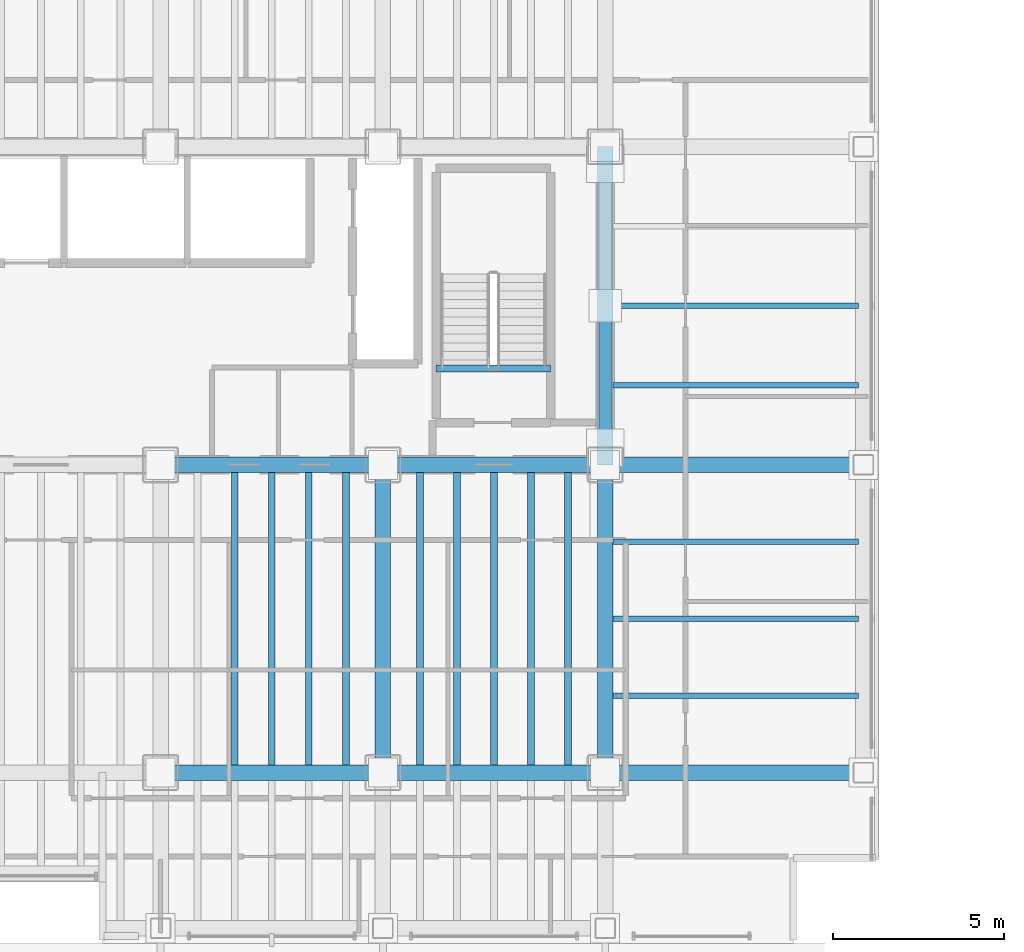
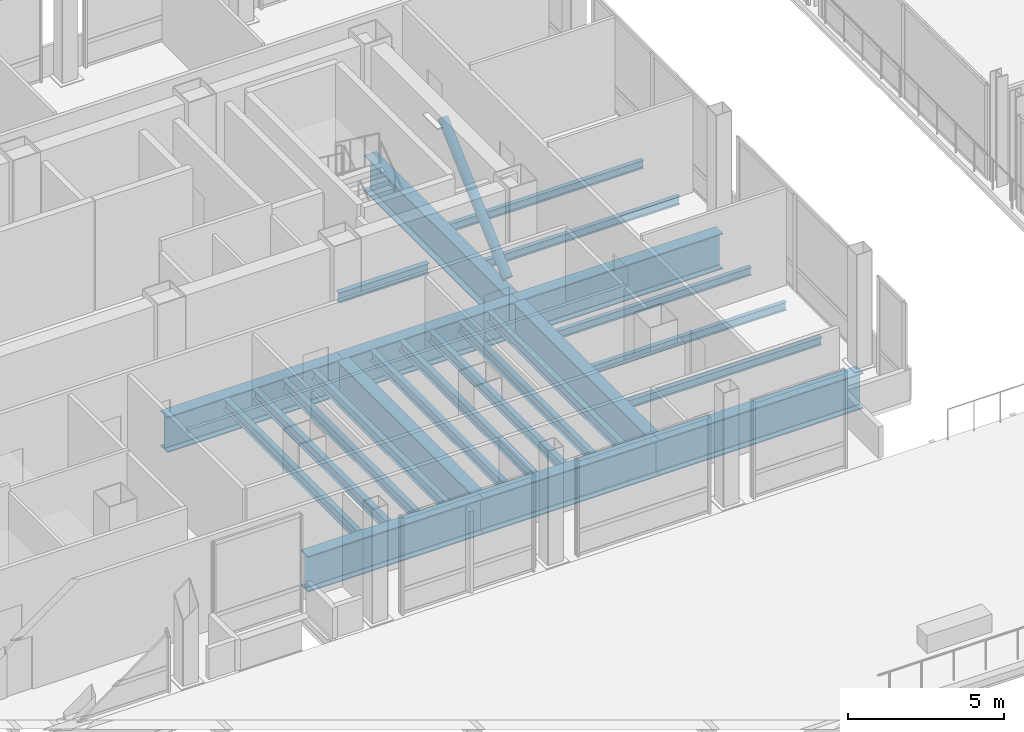
# One storey, part 14 of 34: 24 beams, 1 member.
"""IFC4 building model written with IfcOpenShell, lengths in metres."""

from ifc_helpers import new_model, si_unit, direction, frame, origin, origin_2d, place, context, subcontext, project, spatial, hollow_circle, i_section, extrude, material, material_profile, profile_set, type_object, element, save


model = new_model("IFC4")

# Units and contexts
model_context = context("Model", 3, precision=1e-05, world=origin(), true_north=direction((0.0, 1.0)))
body_context = subcontext(model_context, "Body", "Model", "MODEL_VIEW")
ifc_project = project(units=[si_unit("LENGTHUNIT", "METRE"), si_unit("AREAUNIT", "SQUARE_METRE"), si_unit("VOLUMEUNIT", "CUBIC_METRE"), si_unit("PLANEANGLEUNIT", "RADIAN"), si_unit("MASSUNIT", "GRAM", prefix="KILO")], contexts=[model_context])

# Site, building, storey
site_placement = place(None, origin())
site = spatial("IfcSite", under=ifc_project, at=site_placement, CompositionType="ELEMENT")
building_placement = place(site_placement, origin())
building = spatial("IfcBuilding", under=site, at=building_placement, Name="Noeulbin Bourse Tower", CompositionType="ELEMENT")
storey_placement = place(building_placement, frame((0.0, 0.0, 22.0)))
storey = spatial("IfcBuildingStorey", under=building, at=storey_placement, Name="L05", CompositionType="ELEMENT", Elevation=22.0)

# Beams
ifc_material_1 = material(Name="Steel S355", Category="steel")
ifc_material_profile_1 = material_profile(ifc_material_1, i_section(OverallWidth=0.159912109375, OverallDepth=0.320068359375, WebThickness=0.006591796875, FlangeThickness=0.010009765625, FilletRadius=0.012939453125, at=origin_2d()), Name="H-320x160x6.5x10", Category="LoadBearing")
ifc_profile_set_1 = profile_set([ifc_material_profile_1], Name="Steel S355")
beam_type_1 = type_object("IfcBeamType", Name="BM-JST-320", PredefinedType="JOIST", material=ifc_profile_set_1)
for number, where, z_axis, x_axis, name in (
    (1, (44.22509765625, 22.25, -0.39990234375), (1.0, 0.0, 0.0), (0.0, 1.0, 0.0), "Wing Composite Joist L05-E76"),
    (2, (44.22509765625, 24.5, -0.39990234375), (1.0, 0.0, 0.0), (0.0, 1.0, 0.0), "Wing Composite Joist L05-E77"),
    (3, (44.22509765625, 26.75, -0.39990234375), (1.0, 0.0, 0.0), (0.0, 1.0, 0.0), "Wing Composite Joist L05-E78"),
    (4, (44.22509765625, 31.324951171875, -0.39990234375), (1.0, 0.0, 0.0), (0.0, 1.0, 0.0), "Wing Composite Joist L05-E79"),
    (5, (44.22509765625, 33.64990234375, -0.39990234375), (1.0, 0.0, 0.0), (0.0, 1.0, 0.0), "Wing Composite Joist L05-E80"),
):
    element("IfcBeam", number, at=place(storey_placement, frame(where, z_axis=z_axis, x_axis=x_axis)), inside=storey, type_object=beam_type_1, Name=name, PredefinedType="JOIST", context=body_context, shape_type="SweptSolid", body=[
        extrude(i_section(OverallWidth=0.159912109375, OverallDepth=0.320068359375, WebThickness=0.006591796875, FlangeThickness=0.010009765625, FilletRadius=0.012939453125, at=origin_2d()), origin(), (0.0, 0.0, 1.0), 7.1748046875),
    ])
ifc_material_profile_2 = material_profile(ifc_material_1, i_section(OverallWidth=0.199951171875, OverallDepth=0.39990234375, WebThickness=0.008056640625, FlangeThickness=0.012939453125, FilletRadius=0.01611328125, at=origin_2d()), Name="H-400x200x8x13", Category="LoadBearing")
ifc_profile_set_2 = profile_set([ifc_material_profile_2], Name="Steel S355")
beam_type_2 = type_object("IfcBeamType", Name="BM-SEC-400", PredefinedType="BEAM", material=ifc_profile_set_2)
for number, where, z_axis, x_axis, name in (
    (6, (33.166748046875, 20.22509765625, -0.43994140625), (0.0, 1.0, 0.0), (-1.0, 0.0, 0.0), "Tower Composite Joist L05-44"),
    (7, (34.25, 20.22509765625, -0.43994140625), (0.0, 1.0, 0.0), (-1.0, 0.0, 0.0), "Tower Composite Joist L05-47"),
    (8, (35.333251953125, 20.22509765625, -0.43994140625), (0.0, 1.0, 0.0), (-1.0, 0.0, 0.0), "Tower Composite Joist L05-50"),
    (9, (36.416748046875, 20.22509765625, -0.43994140625), (0.0, 1.0, 0.0), (-1.0, 0.0, 0.0), "Tower Composite Joist L05-53"),
    (10, (38.583251953125, 20.22509765625, -0.43994140625), (0.0, 1.0, 0.0), (-1.0, 0.0, 0.0), "Tower Composite Joist L05-56"),
    (11, (39.666748046875, 20.22509765625, -0.43994140625), (0.0, 1.0, 0.0), (-1.0, 0.0, 0.0), "Tower Composite Joist L05-59"),
    (12, (40.75, 20.22509765625, -0.43994140625), (0.0, 1.0, 0.0), (-1.0, 0.0, 0.0), "Tower Composite Joist L05-62"),
    (13, (41.833251953125, 20.22509765625, -0.43994140625), (0.0, 1.0, 0.0), (-1.0, 0.0, 0.0), "Tower Composite Joist L05-65"),
    (14, (42.916748046875, 20.22509765625, -0.43994140625), (0.0, 1.0, 0.0), (-1.0, 0.0, 0.0), "Tower Composite Joist L05-68"),
):
    element("IfcBeam", number, at=place(storey_placement, frame(where, z_axis=z_axis, x_axis=x_axis)), inside=storey, type_object=beam_type_2, Name=name, PredefinedType="BEAM", context=body_context, shape_type="SweptSolid", body=[
        extrude(i_section(OverallWidth=0.199951171875, OverallDepth=0.39990234375, WebThickness=0.008056640625, FlangeThickness=0.012939453125, FilletRadius=0.01611328125, at=origin_2d()), origin(), (0.0, 0.0, 1.0), 8.5498046875),
    ])
beam_1_placement = place(storey_placement, frame((39.06005859375, 31.820068359375, -0.199951171875), z_axis=(1.0, 0.0, 0.0), x_axis=(0.0, 1.0, 0.0)))
element("IfcBeam", 15, at=beam_1_placement, inside=storey, type_object=beam_type_2, Name="Stair Threshold Trimmer Beam ST2-L05", PredefinedType="BEAM", context=body_context, shape_type="SweptSolid", body=[
    extrude(i_section(OverallWidth=0.199951171875, OverallDepth=0.39990234375, WebThickness=0.008056640625, FlangeThickness=0.012939453125, FilletRadius=0.01611328125, at=origin_2d()), origin(), (0.0, 0.0, 1.0), 3.33984375),
])
ifc_material_2 = material(Name="Steel S460", Category="steel")
ifc_material_profile_3 = material_profile(ifc_material_2, i_section(OverallWidth=0.449951171875, OverallDepth=1.39990234375, WebThickness=0.02392578125, FlangeThickness=0.0400390625, FilletRadius=0.02392578125, at=origin_2d()), Name="PG-1400x450x24x40", Category="LoadBearing")
ifc_profile_set_3 = profile_set([ifc_material_profile_3], Name="Steel S460")
beam_type_3 = type_object("IfcBeamType", Name="BM-TRF-1400", PredefinedType="USERDEFINED", material=ifc_profile_set_3)
for number, where, z_axis, x_axis, name in (
    (16, (31.0, 20.0, -0.93994140625), (1.0, 0.0, 0.0), (0.0, 1.0, 0.0), "Tower Primary Girder EW L05-1.4"),
    (17, (37.5, 20.0, -0.93994140625), (1.0, 0.0, 0.0), (0.0, 1.0, 0.0), "Tower Primary Girder EW L05-1.5"),
):
    element("IfcBeam", number, at=place(storey_placement, frame(where, z_axis=z_axis, x_axis=x_axis)), inside=storey, type_object=beam_type_3, Name=name, ObjectType="GIRDER", PredefinedType="USERDEFINED", context=body_context, shape_type="SweptSolid", body=[
        extrude(i_section(OverallWidth=0.449951171875, OverallDepth=1.39990234375, WebThickness=0.02392578125, FlangeThickness=0.0400390625, FilletRadius=0.02392578125, at=origin_2d()), origin(), (0.0, 0.0, 1.0), 6.5),
    ])
beam_2_placement = place(storey_placement, frame((44.0, 20.0, -0.93994140625), z_axis=(1.0, 0.0, 0.0), x_axis=(0.0, 1.0, 0.0)))
element("IfcBeam", 18, at=beam_2_placement, inside=storey, type_object=beam_type_3, Name="Tower Primary Girder EW L05-1.6", ObjectType="GIRDER", PredefinedType="USERDEFINED", context=body_context, shape_type="SweptSolid", body=[
    extrude(i_section(OverallWidth=0.449951171875, OverallDepth=1.39990234375, WebThickness=0.02392578125, FlangeThickness=0.0400390625, FilletRadius=0.02392578125, at=origin_2d()), origin(), (0.0, 0.0, 1.0), 7.550048828125),
])
for number, where, z_axis, x_axis, name in (
    (19, (31.0, 29.0, -0.93994140625), (1.0, 0.0, 0.0), (0.0, 1.0, 0.0), "Tower Primary Girder EW L05-2.4"),
    (20, (37.5, 29.0, -0.93994140625), (1.0, 0.0, 0.0), (0.0, 1.0, 0.0), "Tower Primary Girder EW L05-2.5"),
):
    element("IfcBeam", number, at=place(storey_placement, frame(where, z_axis=z_axis, x_axis=x_axis)), inside=storey, type_object=beam_type_3, Name=name, ObjectType="GIRDER", PredefinedType="USERDEFINED", context=body_context, shape_type="SweptSolid", body=[
        extrude(i_section(OverallWidth=0.449951171875, OverallDepth=1.39990234375, WebThickness=0.02392578125, FlangeThickness=0.0400390625, FilletRadius=0.02392578125, at=origin_2d()), origin(), (0.0, 0.0, 1.0), 6.5),
    ])
beam_3_placement = place(storey_placement, frame((44.0, 29.0, -0.93994140625), z_axis=(1.0, 0.0, 0.0), x_axis=(0.0, 1.0, 0.0)))
element("IfcBeam", 21, at=beam_3_placement, inside=storey, type_object=beam_type_3, Name="Tower Primary Girder EW L05-2.6", ObjectType="GIRDER", PredefinedType="USERDEFINED", context=body_context, shape_type="SweptSolid", body=[
    extrude(i_section(OverallWidth=0.449951171875, OverallDepth=1.39990234375, WebThickness=0.02392578125, FlangeThickness=0.0400390625, FilletRadius=0.02392578125, at=origin_2d()), origin(), (0.0, 0.0, 1.0), 7.550048828125),
])
for number, where, z_axis, x_axis, name in (
    (22, (37.5, 20.0, -0.93994140625), (0.0, 1.0, 0.0), (-1.0, 0.0, 0.0), "Tower Primary Girder NS L05-4.2"),
    (23, (44.0, 20.0, -0.93994140625), (0.0, 1.0, 0.0), (-1.0, 0.0, 0.0), "Tower Primary Girder NS L05-5.2"),
):
    element("IfcBeam", number, at=place(storey_placement, frame(where, z_axis=z_axis, x_axis=x_axis)), inside=storey, type_object=beam_type_3, Name=name, ObjectType="GIRDER", PredefinedType="USERDEFINED", context=body_context, shape_type="SweptSolid", body=[
        extrude(i_section(OverallWidth=0.449951171875, OverallDepth=1.39990234375, WebThickness=0.02392578125, FlangeThickness=0.0400390625, FilletRadius=0.02392578125, at=origin_2d()), origin(), (0.0, 0.0, 1.0), 9.0),
    ])
beam_4_placement = place(storey_placement, frame((44.0, 29.0, -0.93994140625), z_axis=(0.0, 1.0, 0.0), x_axis=(-1.0, 0.0, 0.0)))
element("IfcBeam", 24, at=beam_4_placement, inside=storey, type_object=beam_type_3, Name="Tower Primary Girder NS L05-5.3", ObjectType="GIRDER", PredefinedType="USERDEFINED", context=body_context, shape_type="SweptSolid", body=[
    extrude(i_section(OverallWidth=0.449951171875, OverallDepth=1.39990234375, WebThickness=0.02392578125, FlangeThickness=0.0400390625, FilletRadius=0.02392578125, at=origin_2d()), origin(), (0.0, 0.0, 1.0), 9.300048828125),
])

# Member
ifc_material_profile_4 = material_profile(ifc_material_1, hollow_circle(Radius=0.177734375, WallThickness=0.0126953125, at=origin_2d()), Name="CHS-355.6x12.7", Category="LoadBearing")
ifc_profile_set_4 = profile_set([ifc_material_profile_4], Name="Steel S355")
member_type = type_object("IfcMemberType", Name="MEM-EXO-356", PredefinedType="BRACE", material=ifc_profile_set_4)
member_placement = place(storey_placement, frame((44.0, 29.5, 0.199951171875), z_axis=(0.0, 0.740172530222, 0.672417002688), x_axis=(-1.0, 0.0, 0.0)))
element("IfcMember", 25, at=member_placement, inside=storey, type_object=member_type, Name="Core Flank Chevron Brace XT-L05-E1", PredefinedType="BRACE", context=body_context, shape_type="SweptSolid", body=[
    extrude(hollow_circle(Radius=0.177734375, WallThickness=0.0126953125, at=origin_2d()), origin(), (0.0, 0.0, 1.0), 5.606689453125),
])

save(model, "model.ifc")
